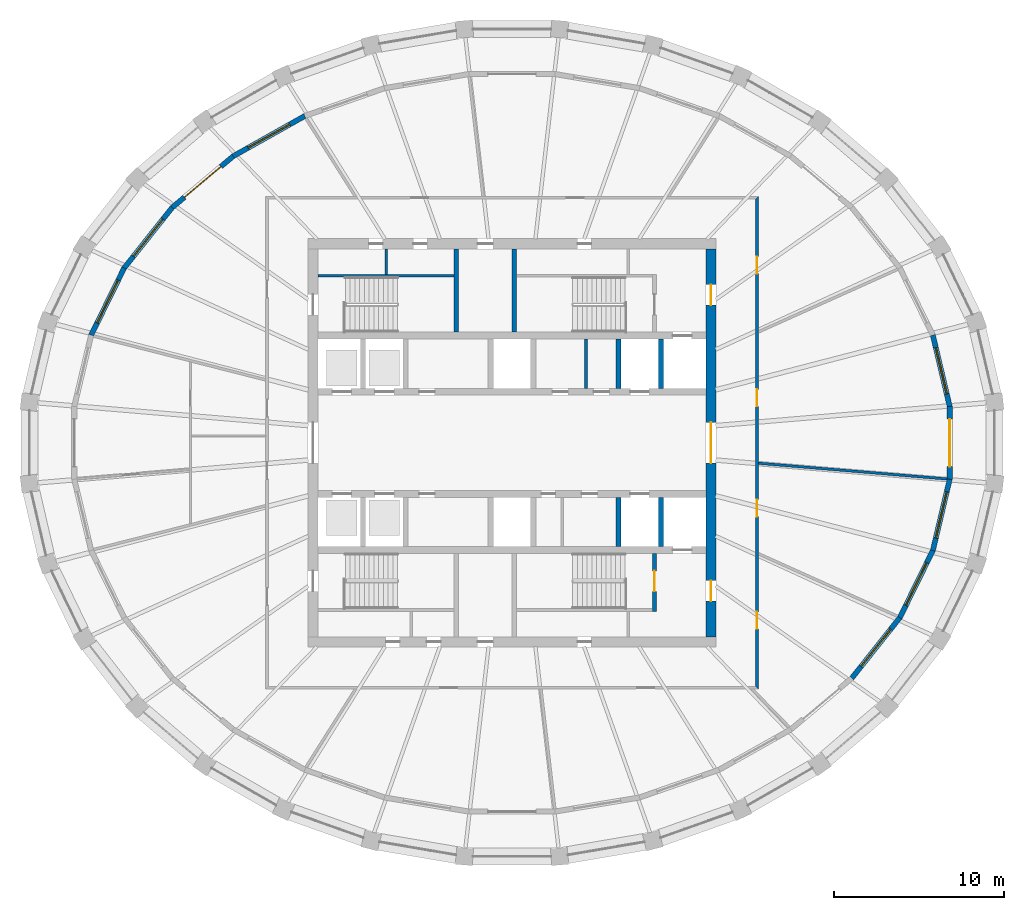
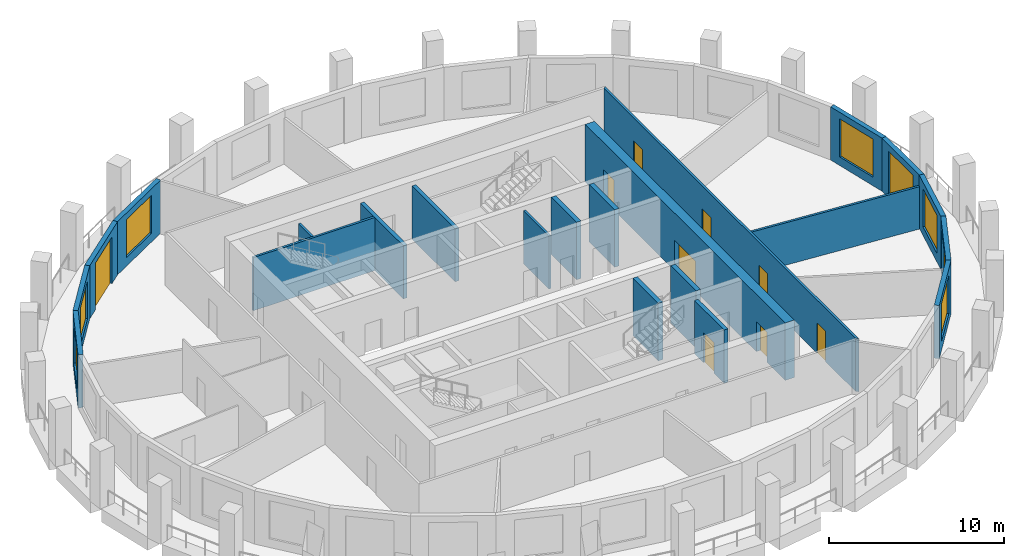
# One storey, part 5 of 10: 22 walls, 10 doors, 7 windows, 17 openings.
"""IFC4 building model written with IfcOpenShell, lengths in metres."""

from ifc_helpers import new_model, si_unit, direction, frame, frame_2d, origin, place, context, subcontext, project, spatial, polyline, rectangle, outline, extrude, material, layer, layer_set, type_object, element, fill, save


model = new_model("IFC4")

# Units and contexts
model_context = context("Model", 3, precision=1e-05, world=origin(), true_north=direction((0.0, 1.0)))
body_context = subcontext(model_context, "Body", "Model", "MODEL_VIEW")
ifc_project = project(units=[si_unit("LENGTHUNIT", "METRE"), si_unit("AREAUNIT", "SQUARE_METRE"), si_unit("VOLUMEUNIT", "CUBIC_METRE"), si_unit("PLANEANGLEUNIT", "RADIAN"), si_unit("MASSUNIT", "GRAM", prefix="KILO")], contexts=[model_context])

# Site, building, storey
site_placement = place(None, origin())
site = spatial("IfcSite", under=ifc_project, at=site_placement, CompositionType="ELEMENT")
building_placement = place(site_placement, origin())
building = spatial("IfcBuilding", under=site, at=building_placement, Name="Halqa Exchange Tower", CompositionType="ELEMENT")
storey_placement = place(building_placement, frame((0.0, 0.0, 320.300048828125)))
storey = spatial("IfcBuildingStorey", under=building, at=storey_placement, Name="L75", CompositionType="ELEMENT", Elevation=320.300048828125)

# Wall, openings, doors
ifc_material_1 = material(Name="Fire-rated gypsum board")
ifc_layer_1 = layer(ifc_material_1, 0.14990234375)
ifc_layer_set_1 = layer_set([ifc_layer_1], Name="Fire-rated gypsum board")
wall_type_1 = type_object("IfcWallType", Name="Fire partition EI 60 150", PredefinedType="PARTITIONING", material=ifc_layer_set_1)
wall_1_placement = place(storey_placement, frame((14.39990234375, -14.47509765625, 0.0), z_axis=(0.0, 0.0, 1.0), x_axis=(0.0, 1.0, 0.0)))
wall_1 = element("IfcWall", 1, at=wall_1_placement, inside=storey, type_object=wall_type_1, Name="L75-PWL-015", PredefinedType="PARTITIONING", context=body_context, shape_type="SweptSolid", body=[
    extrude(outline(polyline([(0.000244140625, -0.074951171875), (1.93017578125, -0.074951171875), (3.860107421875, -0.074951171875), (5.790283203125, -0.074951171875), (7.72021484375, -0.074951171875), (9.650146484375, -0.074951171875), (11.580078125, -0.074951171875), (13.510009765625, -0.074951171875), (15.440185546875, -0.074951171875), (17.3701171875, -0.074951171875), (19.300048828125, -0.074951171875), (21.22998046875, -0.074951171875), (23.159912109375, -0.074951171875), (25.090087890625, -0.074951171875), (27.02001953125, -0.074951171875), (28.949951171875, -0.074951171875), (28.800048828125, 0.074951171875), (26.89013671875, 0.074951171875), (24.97998046875, 0.074951171875), (23.070068359375, 0.074951171875), (21.16015625, 0.074951171875), (19.25, 0.074951171875), (17.340087890625, 0.074951171875), (15.43017578125, 0.074951171875), (13.52001953125, 0.074951171875), (11.610107421875, 0.074951171875), (9.7001953125, 0.074951171875), (7.7900390625, 0.074951171875), (5.880126953125, 0.074951171875), (3.97021484375, 0.074951171875), (2.06005859375, 0.074951171875), (0.150146484375, 0.074951171875), (0.000244140625, -0.074951171875)])), origin(), (0.0, 0.0, 1.0), 3.699951171875),
])
opening_1_placement = place(wall_1_placement, frame((24.4150390625, 0.0, 0.0)))
opening_1 = element("IfcOpeningElement", 2, at=opening_1_placement, cuts=wall_1, Name="Opening 23-01", PredefinedType="OPENING", context=body_context, shape_type="SweptSolid", body=[
    extrude(rectangle(XDim=1.0, YDim=2.10009765625, at=frame_2d((0.5, 1.050048828125))), frame((0.0, 0.0869140625, 0.0), z_axis=(0.0, -1.0, 0.0), x_axis=(1.0, 0.0, 0.0)), (0.0, 0.0, 1.0), 0.173828125),
])
opening_2_placement = place(wall_1_placement, frame((3.534912109375, 0.0, 0.0)))
opening_2 = element("IfcOpeningElement", 3, at=opening_2_placement, cuts=wall_1, Name="Opening 23-10", PredefinedType="OPENING", context=body_context, shape_type="SweptSolid", body=[
    extrude(rectangle(XDim=1.0, YDim=2.10009765625, at=frame_2d((0.5, 1.050048828125))), frame((0.0, 0.0869140625, 0.0), z_axis=(0.0, -1.0, 0.0), x_axis=(1.0, 0.0, 0.0)), (0.0, 0.0, 1.0), 0.173828125),
])
opening_3_placement = place(wall_1_placement, frame((10.139892578125, 0.0, 0.0)))
opening_3 = element("IfcOpeningElement", 4, at=opening_3_placement, cuts=wall_1, Name="Opening 23-11", PredefinedType="OPENING", context=body_context, shape_type="SweptSolid", body=[
    extrude(rectangle(XDim=1.0, YDim=2.10009765625, at=frame_2d((0.5, 1.050048828125))), frame((0.0, 0.0869140625, 0.0), z_axis=(0.0, -1.0, 0.0), x_axis=(1.0, 0.0, 0.0)), (0.0, 0.0, 1.0), 0.173828125),
])
opening_4_placement = place(wall_1_placement, frame((16.6201171875, 0.0, 0.0)))
opening_4 = element("IfcOpeningElement", 5, at=opening_4_placement, cuts=wall_1, Name="Opening 23-12", PredefinedType="OPENING", context=body_context, shape_type="SweptSolid", body=[
    extrude(rectangle(XDim=1.0, YDim=2.10009765625, at=frame_2d((0.5, 1.050048828125))), frame((0.0, 0.0869140625, 0.0), z_axis=(0.0, -1.0, 0.0), x_axis=(1.0, 0.0, 0.0)), (0.0, 0.0, 1.0), 0.173828125),
])
ifc_material_2 = material(Name="Steel fire door leaf", Category="steel")
door_type_1 = type_object("IfcDoorType", Name="Fire door FD30S 1000 x 2100", OperationType="SINGLE_SWING_LEFT", PredefinedType="DOOR", material=ifc_material_2)
door_1_placement = place(opening_1_placement, frame((1.0, 0.0, 0.0), z_axis=(0.0, 0.0, 1.0), x_axis=(-1.0, 0.0, 0.0)))
door_1 = element("IfcDoor", 6, at=door_1_placement, inside=storey, type_object=door_type_1, Name="L75-IDR-001", OperationType="SINGLE_SWING_LEFT", OverallHeight=2.10009765625, OverallWidth=1.0, PredefinedType="DOOR", context=body_context, shape_type="SweptSolid", body=[
    extrude(rectangle(XDim=1.0, YDim=2.10009765625, at=frame_2d((0.5, 1.050048828125))), frame((0.0, 0.02490234375, 0.0), z_axis=(0.0, -1.0, 0.0), x_axis=(1.0, 0.0, 0.0)), (0.0, 0.0, 1.0), 0.050048828125),
])
fill(opening_1, door_1)
door_2_placement = place(opening_2_placement, frame((1.0, 0.0, 0.0), z_axis=(0.0, 0.0, 1.0), x_axis=(-1.0, 0.0, 0.0)))
door_2 = element("IfcDoor", 7, at=door_2_placement, inside=storey, type_object=door_type_1, Name="L75-IDR-010", OperationType="SINGLE_SWING_RIGHT", OverallHeight=2.10009765625, OverallWidth=1.0, PredefinedType="DOOR", context=body_context, shape_type="SweptSolid", body=[
    extrude(rectangle(XDim=1.0, YDim=2.10009765625, at=frame_2d((0.5, 1.050048828125))), frame((0.0, 0.02490234375, 0.0), z_axis=(0.0, -1.0, 0.0), x_axis=(1.0, 0.0, 0.0)), (0.0, 0.0, 1.0), 0.050048828125),
])
fill(opening_2, door_2)
door_3_placement = place(opening_3_placement, frame((1.0, 0.0, 0.0), z_axis=(0.0, 0.0, 1.0), x_axis=(-1.0, 0.0, 0.0)))
door_3 = element("IfcDoor", 8, at=door_3_placement, inside=storey, type_object=door_type_1, Name="L75-IDR-011", OperationType="SINGLE_SWING_RIGHT", OverallHeight=2.10009765625, OverallWidth=1.0, PredefinedType="DOOR", context=body_context, shape_type="SweptSolid", body=[
    extrude(rectangle(XDim=1.0, YDim=2.10009765625, at=frame_2d((0.5, 1.050048828125))), frame((0.0, 0.02490234375, 0.0), z_axis=(0.0, -1.0, 0.0), x_axis=(1.0, 0.0, 0.0)), (0.0, 0.0, 1.0), 0.050048828125),
])
fill(opening_3, door_3)
door_4_placement = place(opening_4_placement, frame((1.0, 0.0, 0.0), z_axis=(0.0, 0.0, 1.0), x_axis=(-1.0, 0.0, 0.0)))
door_4 = element("IfcDoor", 9, at=door_4_placement, inside=storey, type_object=door_type_1, Name="L75-IDR-012", OperationType="SINGLE_SWING_RIGHT", OverallHeight=2.10009765625, OverallWidth=1.0, PredefinedType="DOOR", context=body_context, shape_type="SweptSolid", body=[
    extrude(rectangle(XDim=1.0, YDim=2.10009765625, at=frame_2d((0.5, 1.050048828125))), frame((0.0, 0.02490234375, 0.0), z_axis=(0.0, -1.0, 0.0), x_axis=(1.0, 0.0, 0.0)), (0.0, 0.0, 1.0), 0.050048828125),
])
fill(opening_4, door_4)

# Walls
wall_2_placement = place(storey_placement, frame((14.46875, -1.19580078125, 0.0), z_axis=(0.0, 0.0, 1.0), x_axis=(0.996522290584, -0.083326612611, 0.0)))
element("IfcWall", 10, at=wall_2_placement, inside=storey, type_object=wall_type_1, Name="L75-PWL-017", PredefinedType="PARTITIONING", context=body_context, shape_type="SweptSolid", body=[
    extrude(outline(polyline([(0.012451171875, -0.074951171875), (1.8662109375, -0.074951171875), (3.7197265625, -0.074951171875), (5.5732421875, -0.074951171875), (7.4267578125, -0.074951171875), (9.2802734375, -0.074951171875), (11.134033203125, -0.074951171875), (11.1396484375, -0.036865234375), (11.1396484375, 0.074951171875), (9.282958984375, 0.074951171875), (7.426513671875, 0.074951171875), (5.56982421875, 0.074951171875), (3.713134765625, 0.074951171875), (1.856689453125, 0.074951171875), (0.0, 0.074951171875), (0.012451171875, -0.074951171875)])), origin(), (0.0, 0.0, 1.0), 2.947021484375),
])
ifc_material_3 = material(Name="Gypsum board")
ifc_layer_2 = layer(ifc_material_3, 0.14990234375)
ifc_layer_set_2 = layer_set([ifc_layer_2], Name="Gypsum board")
wall_type_2 = type_object("IfcWallType", Name="Penthouse riser wall 150 gypsum", PredefinedType="PARTITIONING", material=ifc_layer_set_2)
wall_3_placement = place(storey_placement, frame((-7.39990234375, 9.89990234375, 0.0), z_axis=(0.0, 0.0, 1.0), x_axis=(0.0, 1.0, 0.0)))
element("IfcWall", 11, at=wall_3_placement, inside=storey, type_object=wall_type_2, Name="Partition W7.400 N", PredefinedType="PARTITIONING", context=body_context, shape_type="SweptSolid", body=[
    extrude(rectangle(XDim=1.5, YDim=0.14990234375, at=frame_2d((0.75, 0.0))), origin(), (0.0, 0.0, 1.0), 3.699951171875),
])
wall_4_placement = place(storey_placement, frame((4.35009765625, 3.199951171875, 0.0), z_axis=(0.0, 0.0, 1.0), x_axis=(0.0, 1.0, 0.0)))
element("IfcWall", 12, at=wall_4_placement, inside=storey, type_object=wall_type_2, Name="Freed bay partition NE4.350", PredefinedType="PARTITIONING", context=body_context, shape_type="SweptSolid", body=[
    extrude(rectangle(XDim=2.900146484375, YDim=0.14990234375, at=frame_2d((1.4501953125, 0.0))), origin(), (0.0, 0.0, 1.0), 3.699951171875),
])
ifc_material_4 = material(Name="Concrete C60/75", Category="concrete")
ifc_layer_3 = layer(ifc_material_4, 0.300048828125)
ifc_layer_set_3 = layer_set([ifc_layer_3], Name="Concrete C60/75")
wall_type_3 = type_object("IfcWallType", Name="RC core wall 300", PredefinedType="SHEAR", material=ifc_layer_set_3)
for number, where, z_axis, x_axis, name in (
    (13, (6.25, 3.199951171875, 0.0), (0.0, 0.0, 1.0), (0.0, 1.0, 0.0), "Shaft divider N7"),
    (14, (8.75, 3.199951171875, 0.0), (0.0, 0.0, 1.0), (0.0, 1.0, 0.0), "Shaft divider N8"),
    (15, (6.25, -6.10009765625, 0.0), (0.0, 0.0, 1.0), (0.0, 1.0, 0.0), "Shaft divider S7"),
    (16, (8.75, -6.10009765625, 0.0), (0.0, 0.0, 1.0), (0.0, 1.0, 0.0), "Shaft divider S8"),
):
    element("IfcWall", number, at=place(storey_placement, frame(where, z_axis=z_axis, x_axis=x_axis)), inside=storey, type_object=wall_type_3, Name=name, PredefinedType="SHEAR", context=body_context, shape_type="SweptSolid", body=[
        extrude(rectangle(XDim=2.900146484375, YDim=0.300048828125, at=frame_2d((1.4501953125, 0.0))), origin(), (0.0, 0.0, 1.0), 4.0),
    ])

# Wall, openings, doors
ifc_layer_4 = layer(ifc_material_4, 0.60009765625)
ifc_layer_set_4 = layer_set([ifc_layer_4], Name="Concrete C60/75")
wall_type_4 = type_object("IfcWallType", Name="RC core wall 600 C60/75", PredefinedType="SHEAR", material=ifc_layer_set_4)
wall_5_placement = place(storey_placement, frame((11.699951171875, -11.39990234375, 0.0), z_axis=(0.0, 0.0, 1.0), x_axis=(0.0, 1.0, 0.0)))
wall_5 = element("IfcWall", 17, at=wall_5_placement, inside=storey, type_object=wall_type_4, Name="Core wall east", PredefinedType="SHEAR", context=body_context, shape_type="SweptSolid", body=[
    extrude(rectangle(XDim=22.7998046875, YDim=0.60009765625, at=frame_2d((11.39990234375, 0.0))), origin(), (0.0, 0.0, 1.0), 4.0),
])
opening_5_placement = place(wall_5_placement, frame((10.199951171875, 0.0, 0.0)))
opening_5 = element("IfcOpeningElement", 18, at=opening_5_placement, cuts=wall_5, Name="Opening T23-C10", PredefinedType="OPENING", context=body_context, shape_type="SweptSolid", body=[
    extrude(rectangle(XDim=2.39990234375, YDim=2.10009765625, at=frame_2d((1.199951171875, 1.050048828125))), frame((0.0, 0.31201171875, 0.0), z_axis=(0.0, -1.0, 0.0), x_axis=(1.0, 0.0, 0.0)), (0.0, 0.0, 1.0), 0.6240234375),
])
opening_6_placement = place(wall_5_placement, frame((19.5, 0.0, 0.0)))
opening_6 = element("IfcOpeningElement", 19, at=opening_6_placement, cuts=wall_5, Name="Opening T23-C15", PredefinedType="OPENING", context=body_context, shape_type="SweptSolid", body=[
    extrude(rectangle(XDim=1.199951171875, YDim=2.10009765625, at=frame_2d((0.60009765625, 1.050048828125))), frame((0.0, 0.31201171875, 0.0), z_axis=(0.0, -1.0, 0.0), x_axis=(1.0, 0.0, 0.0)), (0.0, 0.0, 1.0), 0.6240234375),
])
opening_7_placement = place(wall_5_placement, frame((2.10009765625, 0.0, 0.0)))
opening_7 = element("IfcOpeningElement", 20, at=opening_7_placement, cuts=wall_5, Name="Opening T23-C16", PredefinedType="OPENING", context=body_context, shape_type="SweptSolid", body=[
    extrude(rectangle(XDim=1.199951171875, YDim=2.10009765625, at=frame_2d((0.60009765625, 1.050048828125))), frame((0.0, 0.31201171875, 0.0), z_axis=(0.0, -1.0, 0.0), x_axis=(1.0, 0.0, 0.0)), (0.0, 0.0, 1.0), 0.6240234375),
])
door_type_2 = type_object("IfcDoorType", Name="Firefighting lobby door FD90 1200 x 2100", OperationType="SINGLE_SWING_RIGHT", PredefinedType="DOOR", material=ifc_material_2)
door_5_placement = place(opening_6_placement, origin())
door_5 = element("IfcDoor", 21, at=door_5_placement, inside=storey, type_object=door_type_2, Name="Firefighting lobby door", OperationType="SINGLE_SWING_RIGHT", OverallHeight=2.10009765625, OverallWidth=1.199951171875, PredefinedType="DOOR", context=body_context, shape_type="SweptSolid", body=[
    extrude(rectangle(XDim=1.199951171875, YDim=2.10009765625, at=frame_2d((0.60009765625, 1.050048828125))), frame((0.0, 0.02490234375, 0.0), z_axis=(0.0, -1.0, 0.0), x_axis=(1.0, 0.0, 0.0)), (0.0, 0.0, 1.0), 0.050048828125),
])
fill(opening_6, door_5)
door_6_placement = place(opening_7_placement, origin())
door_6 = element("IfcDoor", 22, at=door_6_placement, inside=storey, type_object=door_type_2, Name="Firefighting lobby door", OperationType="SINGLE_SWING_LEFT", OverallHeight=2.10009765625, OverallWidth=1.199951171875, PredefinedType="DOOR", context=body_context, shape_type="SweptSolid", body=[
    extrude(rectangle(XDim=1.199951171875, YDim=2.10009765625, at=frame_2d((0.60009765625, 1.050048828125))), frame((0.0, 0.02490234375, 0.0), z_axis=(0.0, -1.0, 0.0), x_axis=(1.0, 0.0, 0.0)), (0.0, 0.0, 1.0), 0.050048828125),
])
fill(opening_7, door_6)
door_type_3 = type_object("IfcDoorType", Name="Lobby double door FD60 2400 x 2100", OperationType="DOUBLE_DOOR_SINGLE_SWING", PredefinedType="DOOR", material=ifc_material_2)
door_7_placement = place(opening_5_placement, origin())
door_7 = element("IfcDoor", 23, at=door_7_placement, inside=storey, type_object=door_type_3, Name="Lift lobby double door", OperationType="DOUBLE_DOOR_SINGLE_SWING", OverallHeight=2.10009765625, OverallWidth=2.39990234375, PredefinedType="DOOR", context=body_context, shape_type="SweptSolid", body=[
    extrude(rectangle(XDim=2.39990234375, YDim=2.10009765625, at=frame_2d((1.199951171875, 1.050048828125))), frame((0.0, 0.02490234375, 0.0), z_axis=(0.0, -1.0, 0.0), x_axis=(1.0, 0.0, 0.0)), (0.0, 0.0, 1.0), 0.050048828125),
])
fill(opening_5, door_7)

# Walls
ifc_material_5 = material(Name="Concrete C30/37", Category="concrete")
ifc_layer_5 = layer(ifc_material_5, 0.14990234375)
ifc_layer_set_5 = layer_set([ifc_layer_5], Name="Concrete C30/37")
wall_type_5 = type_object("IfcWallType", Name="RC stair wall 150 C30/37", PredefinedType="SHEAR", material=ifc_layer_set_5)
wall_6_placement = place(storey_placement, frame((-11.39990234375, 9.824951171875, 0.0), z_axis=(0.0, 0.0, 1.0), x_axis=(1.0, 0.0, 0.0)))
element("IfcWall", 24, at=wall_6_placement, inside=storey, type_object=wall_type_5, Name="Stair ST1 north wall N", PredefinedType="SHEAR", context=body_context, shape_type="SweptSolid", body=[
    extrude(rectangle(XDim=8.0, YDim=0.14990234375, at=frame_2d((4.0, 0.0))), origin(), (0.0, 0.0, 1.0), 3.699951171875),
])
ifc_layer_6 = layer(ifc_material_5, 0.25)
ifc_layer_set_6 = layer_set([ifc_layer_6], Name="Concrete C30/37")
wall_type_6 = type_object("IfcWallType", Name="RC stair wall 250 C30/37", PredefinedType="SHEAR", material=ifc_layer_set_6)
for number, where, z_axis, x_axis, name in (
    (25, (-3.27490234375, 6.5, 0.0), (0.0, 0.0, 1.0), (0.0, 1.0, 0.0), "Stair ST1 east wall N"),
    (26, (0.125, 6.5, 0.0), (0.0, 0.0, 1.0), (0.0, 1.0, 0.0), "Stair ST2 west wall N"),
):
    element("IfcWall", number, at=place(storey_placement, frame(where, z_axis=z_axis, x_axis=x_axis)), inside=storey, type_object=wall_type_6, Name=name, PredefinedType="SHEAR", context=body_context, shape_type="SweptSolid", body=[
        extrude(rectangle(XDim=4.89990234375, YDim=0.25, at=frame_2d((2.449951171875, 0.0))), origin(), (0.0, 0.0, 1.0), 3.699951171875),
    ])

# Wall, opening, door
wall_7_placement = place(storey_placement, frame((8.375, -9.89990234375, 0.0), z_axis=(0.0, 0.0, 1.0), x_axis=(0.0, 1.0, 0.0)))
wall_7 = element("IfcWall", 27, at=wall_7_placement, inside=storey, type_object=wall_type_6, Name="Stair ST2 east wall S", PredefinedType="SHEAR", context=body_context, shape_type="SweptSolid", body=[
    extrude(rectangle(XDim=3.39990234375, YDim=0.25, at=frame_2d((1.699951171875, 0.0))), origin(), (0.0, 0.0, 1.0), 3.699951171875),
])
opening_8_placement = place(wall_7_placement, frame((1.175048828125, 0.0, 0.0)))
opening_8 = element("IfcOpeningElement", 28, at=opening_8_placement, cuts=wall_7, Name="Opening T23-C14", PredefinedType="OPENING", context=body_context, shape_type="SweptSolid", body=[
    extrude(rectangle(XDim=1.199951171875, YDim=2.10009765625, at=frame_2d((0.60009765625, 1.050048828125))), frame((0.0, 0.136962890625, 0.0), z_axis=(0.0, -1.0, 0.0), x_axis=(1.0, 0.0, 0.0)), (0.0, 0.0, 1.0), 0.27392578125),
])
door_type_4 = type_object("IfcDoorType", Name="Stair door FD90 1200 x 2100", OperationType="SINGLE_SWING_LEFT", PredefinedType="DOOR", material=ifc_material_2)
door_8_placement = place(opening_8_placement, origin())
door_8 = element("IfcDoor", 29, at=door_8_placement, inside=storey, type_object=door_type_4, Name="Stair door ST4", OperationType="SINGLE_SWING_LEFT", OverallHeight=2.10009765625, OverallWidth=1.199951171875, PredefinedType="DOOR", context=body_context, shape_type="SweptSolid", body=[
    extrude(rectangle(XDim=1.199951171875, YDim=2.10009765625, at=frame_2d((0.60009765625, 1.050048828125))), frame((0.0, 0.02490234375, 0.0), z_axis=(0.0, -1.0, 0.0), x_axis=(1.0, 0.0, 0.0)), (0.0, 0.0, 1.0), 0.050048828125),
])
fill(opening_8, door_8)

# Wall, opening, window
ifc_material_6 = material(Name="Limestone cladding", Category="masonry")
ifc_layer_7 = layer(ifc_material_6, 0.0400390625)
ifc_material_7 = material(Name="Ventilated cavity")
ifc_layer_8 = layer(ifc_material_7, 0.030029296875, ventilated=True)
ifc_material_8 = material(Name="Mineral wool insulation")
ifc_layer_9 = layer(ifc_material_8, 0.10009765625)
ifc_layer_10 = layer(ifc_material_5, 0.10009765625)
ifc_material_9 = material(Name="Internal plaster")
ifc_layer_11 = layer(ifc_material_9, 0.030029296875)
ifc_layer_set_7 = layer_set([ifc_layer_7, ifc_layer_8, ifc_layer_9, ifc_layer_10, ifc_layer_11], Name="Stone-faced insulated wall 300")
wall_type_7 = type_object("IfcWallType", Name="Stone-faced insulated wall 300", PredefinedType="STANDARD", material=ifc_layer_set_7)
wall_8_placement = place(storey_placement, frame((25.726318359375, 2.137451171875, 0.0), z_axis=(0.0, 0.0, 1.0), x_axis=(-0.229993247212, 0.97319222471, 0.0)))
wall_8 = element("IfcWall", 30, at=wall_8_placement, inside=storey, type_object=wall_type_7, Name="Glass-line wall 1", PredefinedType="STANDARD", context=body_context, shape_type="SweptSolid", body=[
    extrude(outline(polyline([(-0.017578125, -0.14990234375), (4.32470703125, -0.14990234375), (4.29052734375, 0.14990234375), (0.017578125, 0.14990234375), (-0.017578125, -0.14990234375)])), origin(), (0.0, 0.0, 1.0), 3.699951171875),
])
opening_9_placement = place(wall_8_placement, frame((0.753662109375, 0.0, 0.60009765625)))
opening_9 = element("IfcOpeningElement", 31, at=opening_9_placement, cuts=wall_8, Name="Opening W-F4-01", PredefinedType="OPENING", context=body_context, shape_type="SweptSolid", body=[
    extrude(rectangle(XDim=2.800048828125, YDim=2.64990234375, at=frame_2d((1.39990234375, 1.324951171875))), frame((0.0, 0.162109375, 0.0), z_axis=(0.0, -1.0, 0.0), x_axis=(1.0, 0.0, 0.0)), (0.0, 0.0, 1.0), 0.323974609375),
])
ifc_material_10 = material(Name="Clear low-emissivity glass in aluminium frame", Category="aluminium")
window_type = type_object("IfcWindowType", Name="Fixed clear glazed window 2800 x 2650", PartitioningType="DOUBLE_PANEL_VERTICAL", PredefinedType="WINDOW", material=ifc_material_10)
window_1_placement = place(opening_9_placement, origin())
window_1 = element("IfcWindow", 32, at=window_1_placement, inside=storey, type_object=window_type, Name="Window 4", OverallHeight=2.64990234375, OverallWidth=2.800048828125, PartitioningType="DOUBLE_PANEL_VERTICAL", PredefinedType="WINDOW", context=body_context, shape_type="SweptSolid", body=[
    extrude(rectangle(XDim=2.800048828125, YDim=2.64990234375, at=frame_2d((1.39990234375, 1.324951171875))), frame((0.0, 0.030029296875, 0.0), z_axis=(0.0, -1.0, 0.0), x_axis=(1.0, 0.0, 0.0)), (0.0, 0.0, 1.0), 0.06005859375),
])
fill(opening_9, window_1)

wall_9_placement = place(storey_placement, frame((-12.1767578125, 19.2119140625, 0.0), z_axis=(0.0, 0.0, 1.0), x_axis=(-0.871651071333, -0.49012693238, 0.0)))
wall_9 = element("IfcWall", 33, at=wall_9_placement, inside=storey, type_object=wall_type_7, Name="Glass-line wall 11", PredefinedType="STANDARD", context=body_context, shape_type="SweptSolid", body=[
    extrude(outline(polyline([(-0.01318359375, -0.14990234375), (4.847412109375, -0.14990234375), (4.819091796875, 0.14990234375), (0.01318359375, 0.14990234375), (-0.01318359375, -0.14990234375)])), origin(), (0.0, 0.0, 1.0), 3.699951171875),
])
opening_10_placement = place(wall_9_placement, frame((1.0166015625, 0.0, 0.60009765625)))
opening_10 = element("IfcOpeningElement", 34, at=opening_10_placement, cuts=wall_9, Name="Opening W-F4-11", PredefinedType="OPENING", context=body_context, shape_type="SweptSolid", body=[
    extrude(rectangle(XDim=2.800048828125, YDim=2.64990234375, at=frame_2d((1.39990234375, 1.324951171875))), frame((0.0, 0.162109375, 0.0), z_axis=(0.0, -1.0, 0.0), x_axis=(1.0, 0.0, 0.0)), (0.0, 0.0, 1.0), 0.323974609375),
])
window_2_placement = place(opening_10_placement, origin())
window_2 = element("IfcWindow", 35, at=window_2_placement, inside=storey, type_object=window_type, Name="Window 4", OverallHeight=2.64990234375, OverallWidth=2.800048828125, PartitioningType="DOUBLE_PANEL_VERTICAL", PredefinedType="WINDOW", context=body_context, shape_type="SweptSolid", body=[
    extrude(rectangle(XDim=2.800048828125, YDim=2.64990234375, at=frame_2d((1.39990234375, 1.324951171875))), frame((0.0, 0.030029296875, 0.0), z_axis=(0.0, -1.0, 0.0), x_axis=(1.0, 0.0, 0.0)), (0.0, 0.0, 1.0), 0.06005859375),
])
fill(opening_10, window_2)

# Wall, opening, door
wall_10_placement = place(storey_placement, frame((-16.3896484375, 16.843017578125, 0.0), z_axis=(0.0, 0.0, 1.0), x_axis=(-0.765128700347, -0.643877373344, 0.0)))
wall_10 = element("IfcWall", 36, at=wall_10_placement, inside=storey, type_object=wall_type_7, Name="Glass-line wall 12", PredefinedType="STANDARD", context=body_context, shape_type="SweptSolid", body=[
    extrude(outline(polyline([(-0.01416015625, -0.14990234375), (4.70068359375, -0.14990234375), (4.67041015625, 0.14990234375), (0.01416015625, 0.14990234375), (-0.01416015625, -0.14990234375)])), origin(), (0.0, 0.0, 1.0), 3.699951171875),
])
opening_11_placement = place(wall_10_placement, frame((0.942626953125, 0.0, 0.0)))
opening_11 = element("IfcOpeningElement", 37, at=opening_11_placement, cuts=wall_10, Name="Opening LG-F4-03", PredefinedType="OPENING", context=body_context, shape_type="SweptSolid", body=[
    extrude(rectangle(XDim=2.800048828125, YDim=3.25, at=frame_2d((1.39990234375, 1.625))), frame((0.0, 0.162109375, 0.0), z_axis=(0.0, -1.0, 0.0), x_axis=(1.0, 0.0, 0.0)), (0.0, 0.0, 1.0), 0.323974609375),
])
door_type_5 = type_object("IfcDoorType", Name="Glazed sliding loggia door 2800 x 3250", OperationType="DOUBLE_DOOR_SLIDING", PredefinedType="DOOR", material=ifc_material_10)
door_9_placement = place(opening_11_placement, origin())
door_9 = element("IfcDoor", 38, at=door_9_placement, inside=storey, type_object=door_type_5, Name="Loggia door 3", OperationType="DOUBLE_DOOR_SLIDING", OverallHeight=3.25, OverallWidth=2.800048828125, PredefinedType="DOOR", context=body_context, shape_type="SweptSolid", body=[
    extrude(rectangle(XDim=2.800048828125, YDim=3.25, at=frame_2d((1.39990234375, 1.625))), frame((0.0, 0.02490234375, 0.0), z_axis=(0.0, -1.0, 0.0), x_axis=(1.0, 0.0, 0.0)), (0.0, 0.0, 1.0), 0.050048828125),
])
fill(opening_11, door_9)

# Wall, opening, window
wall_11_placement = place(storey_placement, frame((-19.974609375, 13.826171875, 0.0), z_axis=(0.0, 0.0, 1.0), x_axis=(-0.621800530555, -0.783175650925, 0.0)))
wall_11 = element("IfcWall", 39, at=wall_11_placement, inside=storey, type_object=wall_type_7, Name="Glass-line wall 13", PredefinedType="STANDARD", context=body_context, shape_type="SweptSolid", body=[
    extrude(outline(polyline([(-0.01513671875, -0.14990234375), (4.548583984375, -0.14990234375), (4.516357421875, 0.14990234375), (0.01513671875, 0.14990234375), (-0.01513671875, -0.14990234375)])), origin(), (0.0, 0.0, 1.0), 3.699951171875),
])
opening_12_placement = place(wall_11_placement, frame((0.8662109375, 0.0, 0.60009765625)))
opening_12 = element("IfcOpeningElement", 40, at=opening_12_placement, cuts=wall_11, Name="Opening W-F4-13", PredefinedType="OPENING", context=body_context, shape_type="SweptSolid", body=[
    extrude(rectangle(XDim=2.800048828125, YDim=2.64990234375, at=frame_2d((1.39990234375, 1.324951171875))), frame((0.0, 0.162109375, 0.0), z_axis=(0.0, -1.0, 0.0), x_axis=(1.0, 0.0, 0.0)), (0.0, 0.0, 1.0), 0.323974609375),
])
window_3_placement = place(opening_12_placement, origin())
window_3 = element("IfcWindow", 41, at=window_3_placement, inside=storey, type_object=window_type, Name="Window 4", OverallHeight=2.64990234375, OverallWidth=2.800048828125, PartitioningType="DOUBLE_PANEL_VERTICAL", PredefinedType="WINDOW", context=body_context, shape_type="SweptSolid", body=[
    extrude(rectangle(XDim=2.800048828125, YDim=2.64990234375, at=frame_2d((1.39990234375, 1.324951171875))), frame((0.0, 0.030029296875, 0.0), z_axis=(0.0, -1.0, 0.0), x_axis=(1.0, 0.0, 0.0)), (0.0, 0.0, 1.0), 0.06005859375),
])
fill(opening_12, window_3)

wall_12_placement = place(storey_placement, frame((-22.79296875, 10.2763671875, 0.0), z_axis=(0.0, 0.0, 1.0), x_axis=(-0.441610485853, -0.897206876247, 0.0)))
wall_12 = element("IfcWall", 42, at=wall_12_placement, inside=storey, type_object=wall_type_7, Name="Glass-line wall 14", PredefinedType="STANDARD", context=body_context, shape_type="SweptSolid", body=[
    extrude(outline(polyline([(-0.01611328125, -0.14990234375), (4.416015625, -0.14990234375), (4.3818359375, 0.14990234375), (0.01611328125, 0.14990234375), (-0.01611328125, -0.14990234375)])), origin(), (0.0, 0.0, 1.0), 3.699951171875),
])
opening_13_placement = place(wall_12_placement, frame((0.799560546875, 0.0, 0.60009765625)))
opening_13 = element("IfcOpeningElement", 43, at=opening_13_placement, cuts=wall_12, Name="Opening W-F4-14", PredefinedType="OPENING", context=body_context, shape_type="SweptSolid", body=[
    extrude(rectangle(XDim=2.800048828125, YDim=2.64990234375, at=frame_2d((1.39990234375, 1.324951171875))), frame((0.0, 0.162109375, 0.0), z_axis=(0.0, -1.0, 0.0), x_axis=(1.0, 0.0, 0.0)), (0.0, 0.0, 1.0), 0.323974609375),
])
window_4_placement = place(opening_13_placement, origin())
window_4 = element("IfcWindow", 44, at=window_4_placement, inside=storey, type_object=window_type, Name="Window 4", OverallHeight=2.64990234375, OverallWidth=2.800048828125, PartitioningType="DOUBLE_PANEL_VERTICAL", PredefinedType="WINDOW", context=body_context, shape_type="SweptSolid", body=[
    extrude(rectangle(XDim=2.800048828125, YDim=2.64990234375, at=frame_2d((1.39990234375, 1.324951171875))), frame((0.0, 0.030029296875, 0.0), z_axis=(0.0, -1.0, 0.0), x_axis=(1.0, 0.0, 0.0)), (0.0, 0.0, 1.0), 0.06005859375),
])
fill(opening_13, window_4)

wall_13_placement = place(storey_placement, frame((19.974609375, -13.826171875, 0.0), z_axis=(0.0, 0.0, 1.0), x_axis=(0.621800530555, 0.783175650925, 0.0)))
wall_13 = element("IfcWall", 45, at=wall_13_placement, inside=storey, type_object=wall_type_7, Name="Glass-line wall 29", PredefinedType="STANDARD", context=body_context, shape_type="SweptSolid", body=[
    extrude(outline(polyline([(-0.01513671875, -0.14990234375), (4.548583984375, -0.14990234375), (4.516357421875, 0.14990234375), (0.01513671875, 0.14990234375), (-0.01513671875, -0.14990234375)])), origin(), (0.0, 0.0, 1.0), 3.699951171875),
])
opening_14_placement = place(wall_13_placement, frame((0.8662109375, 0.0, 0.60009765625)))
opening_14 = element("IfcOpeningElement", 46, at=opening_14_placement, cuts=wall_13, Name="Opening W-F4-29", PredefinedType="OPENING", context=body_context, shape_type="SweptSolid", body=[
    extrude(rectangle(XDim=2.800048828125, YDim=2.64990234375, at=frame_2d((1.39990234375, 1.324951171875))), frame((0.0, 0.162109375, 0.0), z_axis=(0.0, -1.0, 0.0), x_axis=(1.0, 0.0, 0.0)), (0.0, 0.0, 1.0), 0.323974609375),
])
window_5_placement = place(opening_14_placement, origin())
window_5 = element("IfcWindow", 47, at=window_5_placement, inside=storey, type_object=window_type, Name="Window 4", OverallHeight=2.64990234375, OverallWidth=2.800048828125, PartitioningType="DOUBLE_PANEL_VERTICAL", PredefinedType="WINDOW", context=body_context, shape_type="SweptSolid", body=[
    extrude(rectangle(XDim=2.800048828125, YDim=2.64990234375, at=frame_2d((1.39990234375, 1.324951171875))), frame((0.0, 0.030029296875, 0.0), z_axis=(0.0, -1.0, 0.0), x_axis=(1.0, 0.0, 0.0)), (0.0, 0.0, 1.0), 0.06005859375),
])
fill(opening_14, window_5)

wall_14_placement = place(storey_placement, frame((22.79296875, -10.2763671875, 0.0), z_axis=(0.0, 0.0, 1.0), x_axis=(0.441610485853, 0.897206876247, 0.0)))
wall_14 = element("IfcWall", 48, at=wall_14_placement, inside=storey, type_object=wall_type_7, Name="Glass-line wall 30", PredefinedType="STANDARD", context=body_context, shape_type="SweptSolid", body=[
    extrude(outline(polyline([(-0.01611328125, -0.14990234375), (4.416015625, -0.14990234375), (4.3818359375, 0.14990234375), (0.01611328125, 0.14990234375), (-0.01611328125, -0.14990234375)])), origin(), (0.0, 0.0, 1.0), 3.699951171875),
])
opening_15_placement = place(wall_14_placement, frame((0.799560546875, 0.0, 0.60009765625)))
opening_15 = element("IfcOpeningElement", 49, at=opening_15_placement, cuts=wall_14, Name="Opening W-F4-30", PredefinedType="OPENING", context=body_context, shape_type="SweptSolid", body=[
    extrude(rectangle(XDim=2.800048828125, YDim=2.64990234375, at=frame_2d((1.39990234375, 1.324951171875))), frame((0.0, 0.162109375, 0.0), z_axis=(0.0, -1.0, 0.0), x_axis=(1.0, 0.0, 0.0)), (0.0, 0.0, 1.0), 0.323974609375),
])
window_6_placement = place(opening_15_placement, origin())
window_6 = element("IfcWindow", 50, at=window_6_placement, inside=storey, type_object=window_type, Name="Window 4", OverallHeight=2.64990234375, OverallWidth=2.800048828125, PartitioningType="DOUBLE_PANEL_VERTICAL", PredefinedType="WINDOW", context=body_context, shape_type="SweptSolid", body=[
    extrude(rectangle(XDim=2.800048828125, YDim=2.64990234375, at=frame_2d((1.39990234375, 1.324951171875))), frame((0.0, 0.030029296875, 0.0), z_axis=(0.0, -1.0, 0.0), x_axis=(1.0, 0.0, 0.0)), (0.0, 0.0, 1.0), 0.06005859375),
])
fill(opening_15, window_6)

wall_15_placement = place(storey_placement, frame((24.735595703125, -6.32958984375, 0.0), z_axis=(0.0, 0.0, 1.0), x_axis=(0.229993247212, 0.97319222471, 0.0)))
wall_15 = element("IfcWall", 51, at=wall_15_placement, inside=storey, type_object=wall_type_7, Name="Glass-line wall 31", PredefinedType="STANDARD", context=body_context, shape_type="SweptSolid", body=[
    extrude(outline(polyline([(-0.01708984375, -0.14990234375), (4.3251953125, -0.14990234375), (4.2900390625, 0.14990234375), (0.01708984375, 0.14990234375), (-0.01708984375, -0.14990234375)])), origin(), (0.0, 0.0, 1.0), 3.699951171875),
])
opening_16_placement = place(wall_15_placement, frame((0.753662109375, 0.0, 0.60009765625)))
opening_16 = element("IfcOpeningElement", 52, at=opening_16_placement, cuts=wall_15, Name="Opening W-F4-31", PredefinedType="OPENING", context=body_context, shape_type="SweptSolid", body=[
    extrude(rectangle(XDim=2.800048828125, YDim=2.64990234375, at=frame_2d((1.39990234375, 1.324951171875))), frame((0.0, 0.162109375, 0.0), z_axis=(0.0, -1.0, 0.0), x_axis=(1.0, 0.0, 0.0)), (0.0, 0.0, 1.0), 0.323974609375),
])
window_7_placement = place(opening_16_placement, origin())
window_7 = element("IfcWindow", 53, at=window_7_placement, inside=storey, type_object=window_type, Name="Window 4", OverallHeight=2.64990234375, OverallWidth=2.800048828125, PartitioningType="DOUBLE_PANEL_VERTICAL", PredefinedType="WINDOW", context=body_context, shape_type="SweptSolid", body=[
    extrude(rectangle(XDim=2.800048828125, YDim=2.64990234375, at=frame_2d((1.39990234375, 1.324951171875))), frame((0.0, 0.030029296875, 0.0), z_axis=(0.0, -1.0, 0.0), x_axis=(1.0, 0.0, 0.0)), (0.0, 0.0, 1.0), 0.06005859375),
])
fill(opening_16, window_7)

# Wall, opening, door
wall_16_placement = place(storey_placement, frame((25.726318359375, -2.137451171875, 0.0), z_axis=(0.0, 0.0, 1.0), x_axis=(0.0, 1.0, 0.0)))
wall_16 = element("IfcWall", 54, at=wall_16_placement, inside=storey, type_object=wall_type_7, Name="Glass-line wall 32", PredefinedType="STANDARD", context=body_context, shape_type="SweptSolid", body=[
    extrude(outline(polyline([(-0.017578125, -0.14990234375), (4.29248046875, -0.14990234375), (4.25732421875, 0.14990234375), (0.017578125, 0.14990234375), (-0.017578125, -0.14990234375)])), origin(), (0.0, 0.0, 1.0), 3.699951171875),
])
opening_17_placement = place(wall_16_placement, frame((0.737548828125, 0.0, 0.0)))
opening_17 = element("IfcOpeningElement", 55, at=opening_17_placement, cuts=wall_16, Name="Opening LG-F4-08", PredefinedType="OPENING", context=body_context, shape_type="SweptSolid", body=[
    extrude(rectangle(XDim=2.800048828125, YDim=3.25, at=frame_2d((1.39990234375, 1.625))), frame((0.0, 0.162109375, 0.0), z_axis=(0.0, -1.0, 0.0), x_axis=(1.0, 0.0, 0.0)), (0.0, 0.0, 1.0), 0.323974609375),
])
door_10_placement = place(opening_17_placement, origin())
door_10 = element("IfcDoor", 56, at=door_10_placement, inside=storey, type_object=door_type_5, Name="Loggia door 8", OperationType="DOUBLE_DOOR_SLIDING", OverallHeight=3.25, OverallWidth=2.800048828125, PredefinedType="DOOR", context=body_context, shape_type="SweptSolid", body=[
    extrude(rectangle(XDim=2.800048828125, YDim=3.25, at=frame_2d((1.39990234375, 1.625))), frame((0.0, 0.02490234375, 0.0), z_axis=(0.0, -1.0, 0.0), x_axis=(1.0, 0.0, 0.0)), (0.0, 0.0, 1.0), 0.050048828125),
])
fill(opening_17, door_10)

save(model, "model.ifc")
